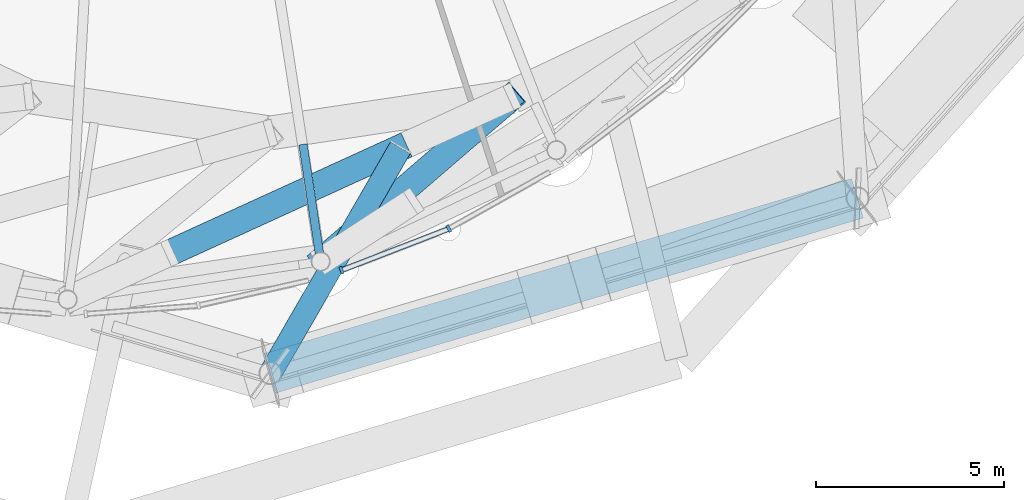
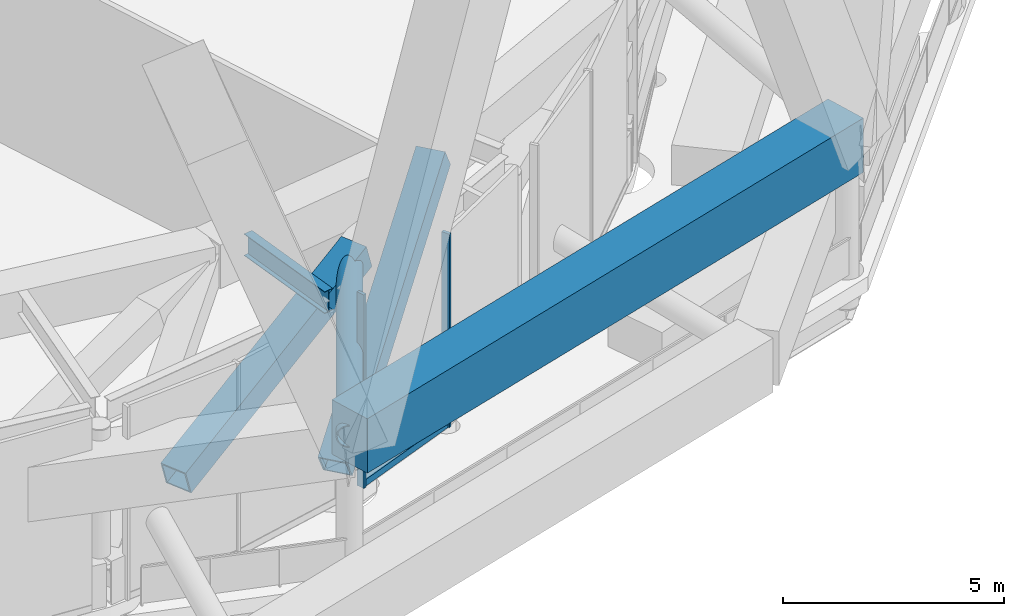
# One storey, part 14 of 49: 5 members, 3 beams, 2 elements without a shape of their own.
"""IFC4 building model written with IfcOpenShell, lengths in metres."""

from ifc_helpers import new_model, si_unit, direction, frame, origin, origin_2d, place, context, subcontext, project, spatial, rectangle, hollow_rectangle, hollow_circle, i_section, extrude, material, layer, layer_set, material_profile, profile_set, type_object, element, aggregate, save


model = new_model("IFC4")

# Units and contexts
model_context = context("Model", 3, precision=1e-05, world=origin(), true_north=direction((0.0, 1.0)))
body_context = subcontext(model_context, "Body", "Model", "MODEL_VIEW")
ifc_project = project(units=[si_unit("LENGTHUNIT", "METRE"), si_unit("AREAUNIT", "SQUARE_METRE"), si_unit("VOLUMEUNIT", "CUBIC_METRE"), si_unit("PLANEANGLEUNIT", "RADIAN"), si_unit("MASSUNIT", "GRAM", prefix="KILO")], contexts=[model_context])

# Site, building, storey
site_placement = place(None, origin())
site = spatial("IfcSite", under=ifc_project, at=site_placement, CompositionType="ELEMENT")
building_placement = place(site_placement, origin())
building = spatial("IfcBuilding", under=site, at=building_placement, Name="Nagisa Residences", CompositionType="ELEMENT")
storey_placement = place(building_placement, frame((0.0, 0.0, 160.300048828125)))
storey = spatial("IfcBuildingStorey", under=building, at=storey_placement, Name="L40", CompositionType="ELEMENT", Elevation=160.300048828125)

# Beams
ifc_material_1 = material(Name="Steel ASTM A572 Gr 50", Category="steel")
ifc_material_profile_1 = material_profile(ifc_material_1, hollow_rectangle(XDim=0.699951171875, YDim=0.699951171875, WallThickness=0.0400390625, at=origin_2d()), Name="BX 700x700x40")
ifc_profile_set_1 = profile_set([ifc_material_profile_1], Name="Steel ASTM A572 Gr 50")
beam_type_1 = type_object("IfcBeamType", Name="Belt diagonal 3 BX 700x700x40", PredefinedType="BEAM", material=ifc_profile_set_1)
beam_1_placement = place(storey_placement, frame((0.91650390625, -31.572509765625, 1.550048828125), z_axis=(0.866874046705, 0.395751875639, 0.3031663571), x_axis=(-0.415296716106, 0.909686010441, 0.0)))
element("IfcBeam", 1, at=beam_1_placement, inside=storey, type_object=beam_type_1, Name="beam:L40:bt3db19", PredefinedType="BEAM", context=body_context, shape_type="SweptSolid", body=[
    extrude(hollow_rectangle(XDim=0.699951171875, YDim=0.699951171875, WallThickness=0.0400390625, at=origin_2d()), origin(), (0.0, 0.0, 1.0), 7.388671875),
])
beam_2_placement = place(storey_placement, frame((4.938232421875, -31.80078125, 0.599853515625), z_axis=(0.645375407326, 0.555871239821, 0.523925327083), x_axis=(-0.652611650163, 0.757692572269, 0.0)))
element("IfcBeam", 2, at=beam_2_placement, inside=storey, type_object=beam_type_1, Name="beam:L40:bt3da20", PredefinedType="BEAM", context=body_context, shape_type="SweptSolid", body=[
    extrude(hollow_rectangle(XDim=0.699951171875, YDim=0.699951171875, WallThickness=0.0400390625, at=origin_2d()), origin(), (0.0, 0.0, 1.0), 7.902099609375),
])

# Curtain wall, member
ifc_material_2 = material(Name="Aluminium curtain wall system", Category="aluminium")
ifc_layer = layer(ifc_material_2, 0.159912109375)
ifc_layer_set = layer_set([ifc_layer], Name="CW2 CURTAIN WALL")
curtain_wall_type = type_object("IfcCurtainWallType", Name="CW2 CURTAIN WALL", PredefinedType="NOTDEFINED", material=ifc_layer_set)
curtain_wall_1_placement = place(storey_placement, origin())
curtain_wall_1 = element("IfcCurtainWall", 3, at=curtain_wall_1_placement, inside=storey, type_object=curtain_wall_type, Name="cw:CW2:L40:38", PredefinedType="NOTDEFINED")
ifc_material_3 = material(Name="Aluminium", Category="aluminium")
ifc_material_profile_2 = material_profile(ifc_material_3, rectangle(XDim=0.199951171875, YDim=0.080078125, at=origin_2d()), Name="CW2 MULLION 200x80")
ifc_profile_set_2 = profile_set([ifc_material_profile_2], Name="Aluminium")
member_type_1 = type_object("IfcMemberType", Name="CW2 MULLION 200x80", PredefinedType="MULLION", material=ifc_profile_set_2)
member_1_placement = place(storey_placement, frame((5.49609375, -32.03271484375, 0.0), z_axis=(0.0, 0.0, 1.0), x_axis=(-0.360327770268, 0.932825759707, 0.0)))
member_1 = element("IfcMember", 4, at=member_1_placement, type_object=member_type_1, Name="CW2 mullion", PredefinedType="MULLION", context=body_context, shape_type="SweptSolid", body=[
    extrude(rectangle(XDim=0.199951171875, YDim=0.080078125, at=origin_2d()), origin(), (0.0, 0.0, 1.0), 5.33984375),
])

curtain_wall_2_placement = place(storey_placement, origin())
curtain_wall_2 = element("IfcCurtainWall", 5, at=curtain_wall_2_placement, inside=storey, type_object=curtain_wall_type, Name="cw:CW2:L40:39", PredefinedType="NOTDEFINED")
member_2_placement = place(storey_placement, frame((8.350341796875, -30.9248046875, 0.0), z_axis=(0.0, 0.0, 1.0), x_axis=(-0.489376918501, 0.872072377523, 0.0)))
member_2 = element("IfcMember", 6, at=member_2_placement, type_object=member_type_1, Name="CW2 mullion", PredefinedType="MULLION", context=body_context, shape_type="SweptSolid", body=[
    extrude(rectangle(XDim=0.199951171875, YDim=0.080078125, at=origin_2d()), origin(), (0.0, 0.0, 1.0), 5.33984375),
])
aggregate(curtain_wall_2, [member_2])

# Member
ifc_material_4 = material(Name="Aluminium", Category="aluminium")
ifc_material_profile_3 = material_profile(ifc_material_4, rectangle(XDim=0.139892578125, YDim=0.179931640625, at=origin_2d()), Name="CW2 TRANSOM 140x180")
ifc_profile_set_3 = profile_set([ifc_material_profile_3], Name="Aluminium")
member_type_2 = type_object("IfcMemberType", Name="CW2 TRANSOM 140x180", PredefinedType="USERDEFINED", material=ifc_profile_set_3)
member_3_placement = place(storey_placement, frame((5.458740234375, -32.047119140625, 0.08984375), z_axis=(0.932826657337, 0.360325446452, 0.0), x_axis=(-0.360325446452, 0.932826657337, 0.0)))
member_3 = element("IfcMember", 7, at=member_3_placement, type_object=member_type_2, Name="CW2 transom", ObjectType="TRANSOM", PredefinedType="USERDEFINED", context=body_context, shape_type="SweptSolid", body=[
    extrude(rectangle(XDim=0.139892578125, YDim=0.179931640625, at=origin_2d()), origin(), (0.0, 0.0, 1.0), 3.073486328125),
])

aggregate(curtain_wall_1, [member_1, member_3])

# Members
ifc_material_5 = material(Name="Concrete C80", Category="concrete")
ifc_material_profile_4 = material_profile(ifc_material_5, rectangle(XDim=1.10009765625, YDim=1.5, at=origin_2d()), Name="C80 1100x1500")
ifc_profile_set_4 = profile_set([ifc_material_profile_4], Name="Concrete C80")
member_type_3 = type_object("IfcMemberType", Name="Cage ring 4 C80 1100x1500", PredefinedType="CHORD", material=ifc_profile_set_4)
member_4_placement = place(storey_placement, frame((3.60009765625, -34.77490234375, 3.699951171875), z_axis=(0.958369394258, 0.285531266501, 0.0), x_axis=(-0.285531266501, 0.958369394258, 0.0)))
element("IfcMember", 8, at=member_4_placement, inside=storey, type_object=member_type_3, Name="beam:L40:cg4r010", PredefinedType="CHORD", context=body_context, shape_type="SweptSolid", body=[
    extrude(rectangle(XDim=1.10009765625, YDim=1.5, at=origin_2d()), origin(), (0.0, 0.0, 1.0), 16.316650390625),
])
ifc_material_6 = material(Name="Steel ASTM A572 Gr 65", Category="steel")
ifc_material_profile_5 = material_profile(ifc_material_6, hollow_circle(Radius=0.304931640625, WallThickness=0.02490234375, at=origin_2d()), Name="CHS 610x25")
ifc_profile_set_5 = profile_set([ifc_material_profile_5], Name="Steel ASTM A572 Gr 65")
member_type_4 = type_object("IfcMemberType", Name="Cage strut CHS 610x25", PredefinedType="STRUT", material=ifc_profile_set_5)
member_5_placement = place(storey_placement, frame((3.60009765625, -34.77490234375, 3.699951171875), z_axis=(0.499437006751, 0.866350204183, 0.0), x_axis=(-0.866350204183, 0.499437006751, 0.0)))
element("IfcMember", 9, at=member_5_placement, inside=storey, type_object=member_type_4, Name="mem:L40:bt3st4b10", PredefinedType="STRUT", context=body_context, shape_type="SweptSolid", body=[
    extrude(hollow_circle(Radius=0.304931640625, WallThickness=0.02490234375, at=origin_2d()), origin(), (0.0, 0.0, 1.0), 6.93603515625),
])

# Beam
ifc_material_7 = material(Name="Steel ASTM A572 Gr 50", Category="steel")
ifc_material_profile_6 = material_profile(ifc_material_7, i_section(OverallWidth=0.22802734375, OverallDepth=0.60302734375, WebThickness=0.010498046875, FlangeThickness=0.014892578125, at=origin_2d()), Name="W610x101")
ifc_profile_set_6 = profile_set([ifc_material_profile_6], Name="Steel ASTM A572 Gr 50")
beam_type_2 = type_object("IfcBeamType", Name="Garden radial beam W610x101", PredefinedType="BEAM", material=ifc_profile_set_6)
beam_3_placement = place(storey_placement, frame((4.903564453125, -31.5693359375, 5.038330078125), z_axis=(-0.148528356898, 0.98890814902, 0.0), x_axis=(-0.98890814902, -0.148528356898, 0.0)))
element("IfcBeam", 10, at=beam_3_placement, inside=storey, type_object=beam_type_2, Name="beam:L40:bt3gr20", PredefinedType="BEAM", context=body_context, shape_type="SweptSolid", body=[
    extrude(i_section(OverallWidth=0.22802734375, OverallDepth=0.60302734375, WebThickness=0.010498046875, FlangeThickness=0.014892578125, at=origin_2d()), origin(), (0.0, 0.0, 1.0), 2.922607421875),
])

save(model, "model.ifc")
